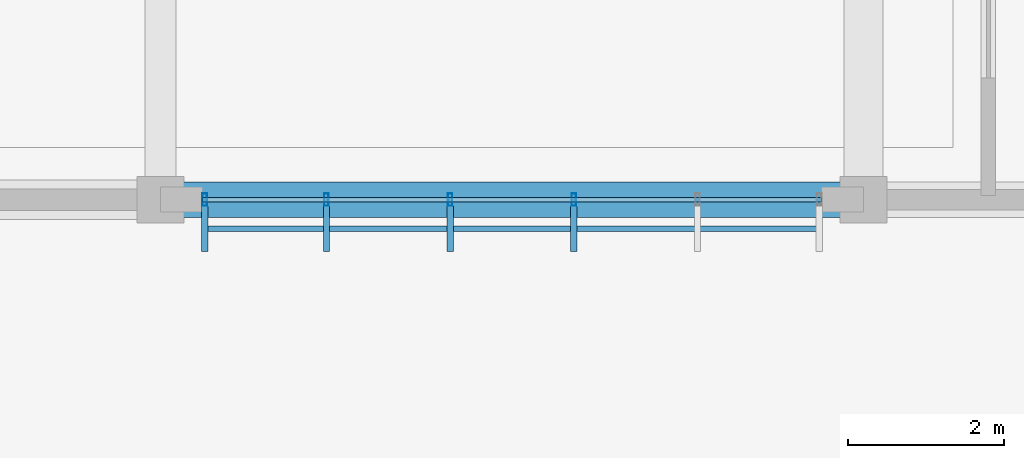
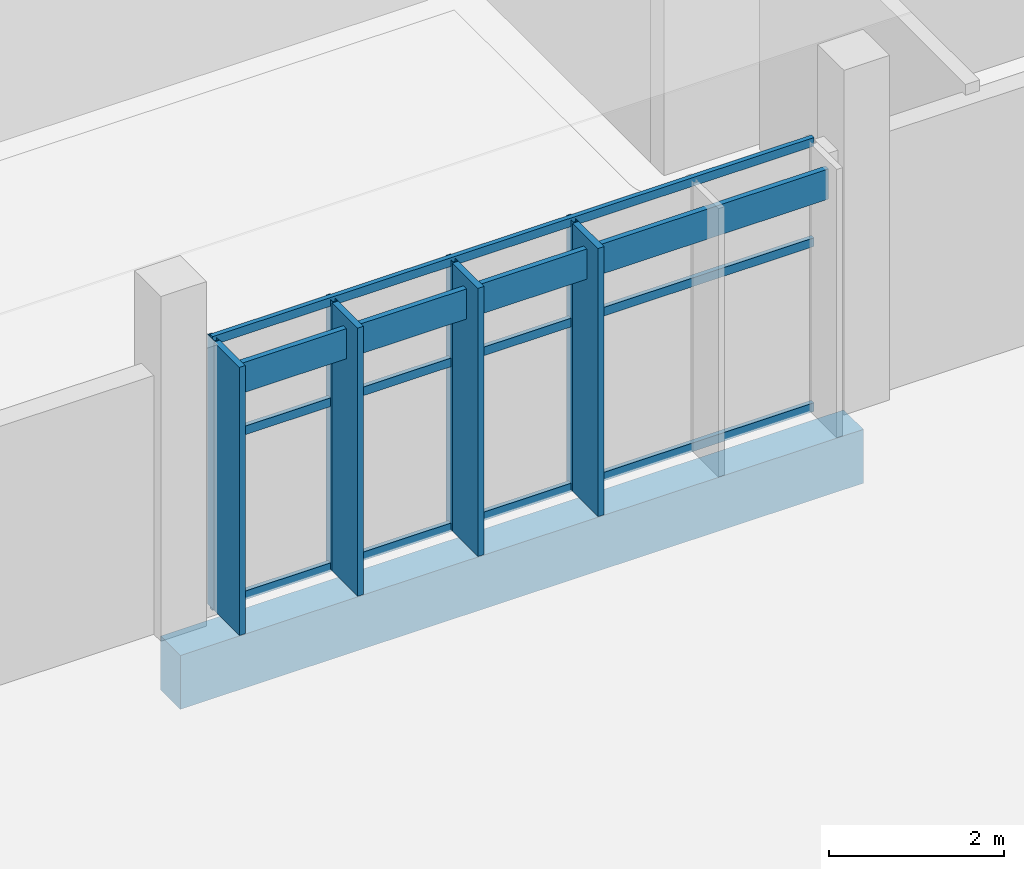
# One storey, part 62 of 151: 12 members, 1 beam, 1 element without a shape of its own.
"""IFC4 building model written with IfcOpenShell, lengths in metres."""

from ifc_helpers import new_model, si_unit, direction, frame, origin, origin_2d, place, context, subcontext, project, spatial, rectangle, hollow_rectangle, extrude, material, material_profile, profile_set, type_object, element, aggregate, save


model = new_model("IFC4")

# Units and contexts
model_context = context("Model", 3, precision=1e-05, world=origin(), true_north=direction((0.0, 1.0)))
body_context = subcontext(model_context, "Body", "Model", "MODEL_VIEW")
ifc_project = project(units=[si_unit("LENGTHUNIT", "METRE"), si_unit("AREAUNIT", "SQUARE_METRE"), si_unit("VOLUMEUNIT", "CUBIC_METRE"), si_unit("PLANEANGLEUNIT", "RADIAN"), si_unit("MASSUNIT", "GRAM", prefix="KILO")], contexts=[model_context])

# Site, building, storey
site_placement = place(None, origin())
site = spatial("IfcSite", under=ifc_project, at=site_placement, CompositionType="ELEMENT")
building_placement = place(site_placement, origin())
building = spatial("IfcBuilding", under=site, at=building_placement, Name="Chiffa Square Polytechnic", CompositionType="ELEMENT")
storey_placement = place(building_placement, origin())
storey = spatial("IfcBuildingStorey", under=building, at=storey_placement, Name="L00", CompositionType="ELEMENT", Elevation=0.0)

# Beam
ifc_material_1 = material(Name="Concrete C35/45", Category="concrete")
ifc_material_profile_1 = material_profile(ifc_material_1, rectangle(XDim=0.449951171875, YDim=0.75, at=origin_2d()), Name="RC 450x750")
ifc_profile_set_1 = profile_set([ifc_material_profile_1], Name="Concrete C35/45")
beam_type = type_object("IfcBeamType", Name="BM-RC-450X750", PredefinedType="BEAM", material=ifc_profile_set_1)
beam_placement = place(storey_placement, frame((57.60009765625, 103.800048828125, -0.72509765625), z_axis=(1.0, 0.0, 0.0), x_axis=(0.0, 1.0, 0.0)))
element("IfcBeam", 1, at=beam_placement, inside=storey, type_object=beam_type, Name="Primary floor girder BM-V5-L00-X-0576-1038", PredefinedType="BEAM", context=body_context, shape_type="SweptSolid", body=[
    extrude(rectangle(XDim=0.449951171875, YDim=0.75, at=origin_2d()), origin(), (0.0, 0.0, 1.0), 9.0),
])

# Curtain wall, members
ifc_material_2 = material(Name="Aluminium EN AW-6060 T66 and glulam shading", Category="wood")
curtain_wall_type = type_object("IfcCurtainWallType", Name="CW-VERT-600X380", PredefinedType="USERDEFINED", material=ifc_material_2)
curtain_wall_placement = place(storey_placement, origin())
curtain_wall = element("IfcCurtainWall", 2, at=curtain_wall_placement, inside=storey, type_object=curtain_wall_type, Name="Curtain wall CW-V5-L00-188", ObjectType="CURTAIN WALL", PredefinedType="USERDEFINED")
ifc_material_3 = material(Name="Aluminium EN AW-6060 T66", Category="aluminium")
ifc_material_profile_2 = material_profile(ifc_material_3, hollow_rectangle(XDim=0.06005859375, YDim=0.159912109375, WallThickness=0.00390625, at=origin_2d()), Name="ALU 60x160x4")
ifc_profile_set_2 = profile_set([ifc_material_profile_2], Name="Aluminium EN AW-6060 T66")
member_type_1 = type_object("IfcMemberType", Name="CWM-ALU-65X150", PredefinedType="MULLION", material=ifc_profile_set_2)
member_1_placement = place(storey_placement, frame((58.1650390625, 103.800048828125, 0.0), z_axis=(0.0, 0.0, 1.0), x_axis=(1.0, 0.0, 0.0)))
member_1 = element("IfcMember", 3, at=member_1_placement, type_object=member_type_1, Name="Curtain wall mullion CW-V5-L00-188-M00", PredefinedType="MULLION", context=body_context, shape_type="SweptSolid", body=[
    extrude(hollow_rectangle(XDim=0.06005859375, YDim=0.159912109375, WallThickness=0.00390625, at=origin_2d()), origin(), (0.0, 0.0, 1.0), 3.7548828125),
])
member_2_placement = place(storey_placement, frame((59.72412109375, 103.800048828125, 0.0), z_axis=(0.0, 0.0, 1.0), x_axis=(1.0, 0.0, 0.0)))
member_2 = element("IfcMember", 4, at=member_2_placement, type_object=member_type_1, Name="Curtain wall mullion CW-V5-L00-188-M01", PredefinedType="MULLION", context=body_context, shape_type="SweptSolid", body=[
    extrude(hollow_rectangle(XDim=0.06005859375, YDim=0.159912109375, WallThickness=0.00390625, at=origin_2d()), origin(), (0.0, 0.0, 1.0), 3.7548828125),
])
member_3_placement = place(storey_placement, frame((61.30810546875, 103.800048828125, 0.0), z_axis=(0.0, 0.0, 1.0), x_axis=(1.0, 0.0, 0.0)))
member_3 = element("IfcMember", 5, at=member_3_placement, type_object=member_type_1, Name="Curtain wall mullion CW-V5-L00-188-M02", PredefinedType="MULLION", context=body_context, shape_type="SweptSolid", body=[
    extrude(hollow_rectangle(XDim=0.06005859375, YDim=0.159912109375, WallThickness=0.00390625, at=origin_2d()), origin(), (0.0, 0.0, 1.0), 3.7548828125),
])
member_4_placement = place(storey_placement, frame((62.89208984375, 103.800048828125, 0.0), z_axis=(0.0, 0.0, 1.0), x_axis=(1.0, 0.0, 0.0)))
member_4 = element("IfcMember", 6, at=member_4_placement, type_object=member_type_1, Name="Curtain wall mullion CW-V5-L00-188-M03", PredefinedType="MULLION", context=body_context, shape_type="SweptSolid", body=[
    extrude(hollow_rectangle(XDim=0.06005859375, YDim=0.159912109375, WallThickness=0.00390625, at=origin_2d()), origin(), (0.0, 0.0, 1.0), 3.7548828125),
])
ifc_material_4 = material(Name="Glulam GL28h", Category="wood")
ifc_material_profile_3 = material_profile(ifc_material_4, rectangle(XDim=0.080078125, YDim=0.580078125, at=origin_2d()), Name="GL28h 80x580")
ifc_profile_set_3 = profile_set([ifc_material_profile_3], Name="Glulam GL28h")
member_type_2 = type_object("IfcMemberType", Name="CWM-GL-80X580", PredefinedType="MULLION", material=ifc_profile_set_3)
member_5_placement = place(storey_placement, frame((58.1650390625, 103.427978515625, 0.010009765625), z_axis=(0.0, 0.0, 1.0), x_axis=(1.0, 0.0, 0.0)))
member_5 = element("IfcMember", 7, at=member_5_placement, type_object=member_type_2, Name="Exterior glulam solar fin CW-V5-L00-188-FN00", PredefinedType="MULLION", context=body_context, shape_type="SweptSolid", body=[
    extrude(rectangle(XDim=0.080078125, YDim=0.580078125, at=origin_2d()), origin(), (0.0, 0.0, 1.0), 3.735107421875),
])
member_6_placement = place(storey_placement, frame((59.72412109375, 103.427978515625, 0.010009765625), z_axis=(0.0, 0.0, 1.0), x_axis=(1.0, 0.0, 0.0)))
member_6 = element("IfcMember", 8, at=member_6_placement, type_object=member_type_2, Name="Exterior glulam solar fin CW-V5-L00-188-FN01", PredefinedType="MULLION", context=body_context, shape_type="SweptSolid", body=[
    extrude(rectangle(XDim=0.080078125, YDim=0.580078125, at=origin_2d()), origin(), (0.0, 0.0, 1.0), 3.735107421875),
])
member_7_placement = place(storey_placement, frame((61.30810546875, 103.427978515625, 0.010009765625), z_axis=(0.0, 0.0, 1.0), x_axis=(1.0, 0.0, 0.0)))
member_7 = element("IfcMember", 9, at=member_7_placement, type_object=member_type_2, Name="Exterior glulam solar fin CW-V5-L00-188-FN02", PredefinedType="MULLION", context=body_context, shape_type="SweptSolid", body=[
    extrude(rectangle(XDim=0.080078125, YDim=0.580078125, at=origin_2d()), origin(), (0.0, 0.0, 1.0), 3.735107421875),
])
member_8_placement = place(storey_placement, frame((62.89208984375, 103.427978515625, 0.010009765625), z_axis=(0.0, 0.0, 1.0), x_axis=(1.0, 0.0, 0.0)))
member_8 = element("IfcMember", 10, at=member_8_placement, type_object=member_type_2, Name="Exterior glulam solar fin CW-V5-L00-188-FN03", PredefinedType="MULLION", context=body_context, shape_type="SweptSolid", body=[
    extrude(rectangle(XDim=0.080078125, YDim=0.580078125, at=origin_2d()), origin(), (0.0, 0.0, 1.0), 3.735107421875),
])
ifc_material_profile_4 = material_profile(ifc_material_3, hollow_rectangle(XDim=0.06005859375, YDim=0.1201171875, WallThickness=0.00390625, at=origin_2d()), Name="ALU 60x120x4")
ifc_profile_set_4 = profile_set([ifc_material_profile_4], Name="Aluminium EN AW-6060 T66")
member_type_3 = type_object("IfcMemberType", Name="CWT-ALU-65X120", PredefinedType="USERDEFINED", material=ifc_profile_set_4)
member_9_placement = place(storey_placement, frame((58.137939453125, 103.800048828125, 0.030029296875), z_axis=(1.0, 0.0, 0.0), x_axis=(0.0, 1.0, 0.0)))
member_9 = element("IfcMember", 11, at=member_9_placement, type_object=member_type_3, Name="Curtain wall transom CW-V5-L00-188-T01", ObjectType="TRANSOM", PredefinedType="USERDEFINED", context=body_context, shape_type="SweptSolid", body=[
    extrude(hollow_rectangle(XDim=0.06005859375, YDim=0.1201171875, WallThickness=0.00390625, at=origin_2d()), origin(), (0.0, 0.0, 1.0), 7.924072265625),
])
member_10_placement = place(storey_placement, frame((58.137939453125, 103.800048828125, 2.327880859375), z_axis=(1.0, 0.0, 0.0), x_axis=(0.0, 1.0, 0.0)))
member_10 = element("IfcMember", 12, at=member_10_placement, type_object=member_type_3, Name="Curtain wall transom CW-V5-L00-188-T02", ObjectType="TRANSOM", PredefinedType="USERDEFINED", context=body_context, shape_type="SweptSolid", body=[
    extrude(hollow_rectangle(XDim=0.06005859375, YDim=0.1201171875, WallThickness=0.00390625, at=origin_2d()), origin(), (0.0, 0.0, 1.0), 7.924072265625),
])
member_11_placement = place(storey_placement, frame((58.137939453125, 103.800048828125, 3.72509765625), z_axis=(1.0, 0.0, 0.0), x_axis=(0.0, 1.0, 0.0)))
member_11 = element("IfcMember", 13, at=member_11_placement, type_object=member_type_3, Name="Curtain wall transom CW-V5-L00-188-T03", ObjectType="TRANSOM", PredefinedType="USERDEFINED", context=body_context, shape_type="SweptSolid", body=[
    extrude(hollow_rectangle(XDim=0.06005859375, YDim=0.1201171875, WallThickness=0.00390625, at=origin_2d()), origin(), (0.0, 0.0, 1.0), 7.924072265625),
])
ifc_material_profile_5 = material_profile(ifc_material_4, rectangle(XDim=0.070068359375, YDim=0.419921875, at=origin_2d()), Name="GL28h 70x420")
ifc_profile_set_5 = profile_set([ifc_material_profile_5], Name="Glulam GL28h")
member_type_4 = type_object("IfcMemberType", Name="CWT-GL-70X420", PredefinedType="USERDEFINED", material=ifc_profile_set_5)
member_12_placement = place(storey_placement, frame((58.1650390625, 103.427978515625, 3.375), z_axis=(1.0, 0.0, 0.0), x_axis=(0.0, 1.0, 0.0)))
member_12 = element("IfcMember", 14, at=member_12_placement, type_object=member_type_4, Name="Exterior glulam brise-soleil CW-V5-L00-188-BS01", ObjectType="TRANSOM", PredefinedType="USERDEFINED", context=body_context, shape_type="SweptSolid", body=[
    extrude(rectangle(XDim=0.070068359375, YDim=0.419921875, at=origin_2d()), origin(), (0.0, 0.0, 1.0), 7.869873046875),
])
aggregate(curtain_wall, [member_1, member_5, member_2, member_6, member_3, member_7, member_4, member_8, member_9, member_10, member_11, member_12])

save(model, "model.ifc")
